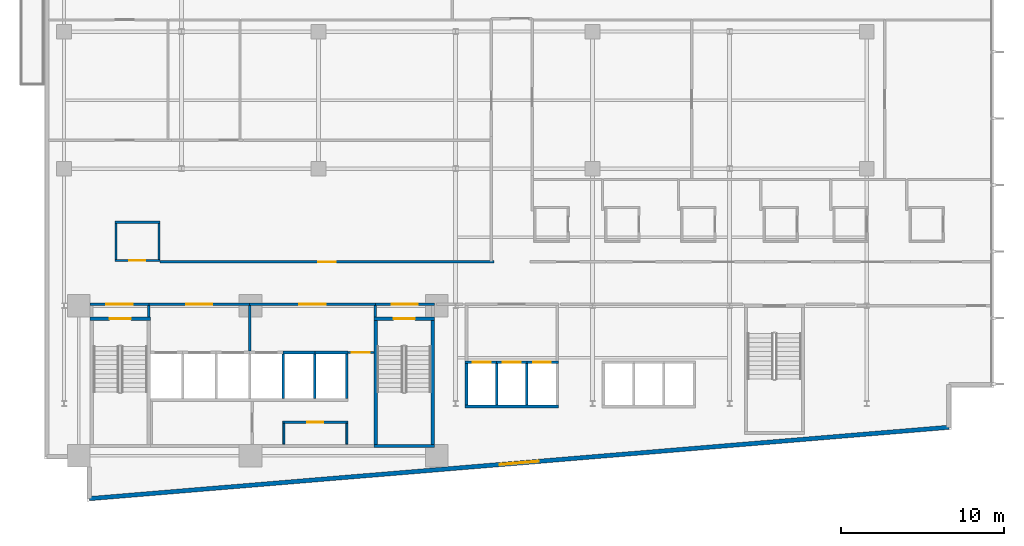
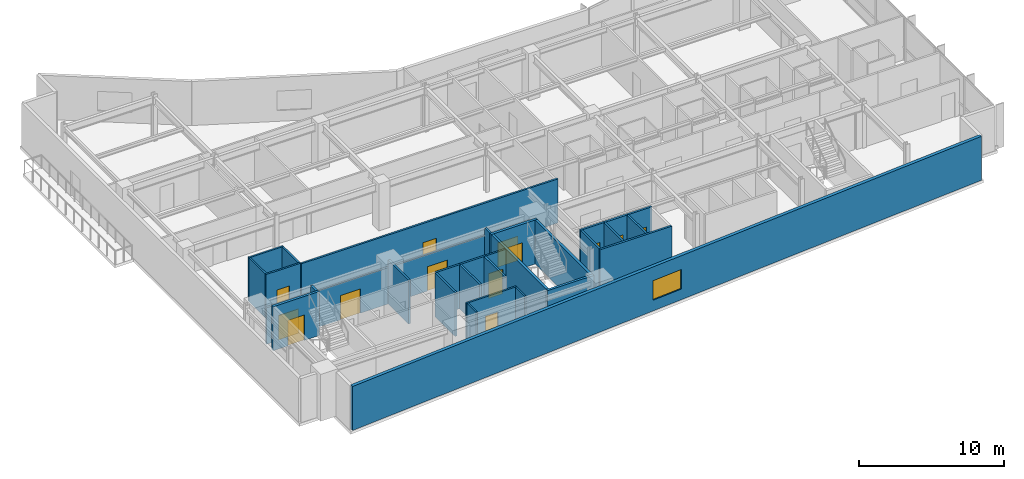
# One storey, part 12 of 20: 34 walls, 13 doors, 1 window, 14 openings.
"""IFC4 building model written with IfcOpenShell, lengths in metres."""

from ifc_helpers import new_model, si_unit, direction, frame, frame_2d, origin, place, context, subcontext, project, spatial, rectangle, extrude, material, layer, layer_set, type_object, element, fill, save


model = new_model("IFC4")

# Units and contexts
model_context = context("Model", 3, precision=1e-05, world=origin(), true_north=direction((0.0, 1.0)))
body_context = subcontext(model_context, "Body", "Model", "MODEL_VIEW")
ifc_project = project(units=[si_unit("LENGTHUNIT", "METRE"), si_unit("AREAUNIT", "SQUARE_METRE"), si_unit("VOLUMEUNIT", "CUBIC_METRE"), si_unit("PLANEANGLEUNIT", "RADIAN"), si_unit("MASSUNIT", "GRAM", prefix="KILO")], contexts=[model_context])

# Site, building, storey
site_placement = place(None, origin())
site = spatial("IfcSite", under=ifc_project, at=site_placement, CompositionType="ELEMENT")
building_placement = place(site_placement, origin())
building = spatial("IfcBuilding", under=site, at=building_placement, Name="Varnakote Quay Hospital", CompositionType="ELEMENT")
storey_placement = place(building_placement, frame((0.0, 0.0, 81.75)))
storey = spatial("IfcBuildingStorey", under=building, at=storey_placement, Name="L20", CompositionType="ELEMENT", Elevation=81.75)

# Wall, opening, door
ifc_material_1 = material(Name="Fire-rated acoustic gypsum stud wall", Category="gypsum")
ifc_layer_1 = layer(ifc_material_1, 0.159912109375)
ifc_layer_set_1 = layer_set([ifc_layer_1], Name="Fire-rated acoustic gypsum stud wall")
wall_type_1 = type_object("IfcWallType", Name="WL-COMP-160", PredefinedType="PARTITIONING", material=ifc_layer_set_1)
wall_1_placement = place(storey_placement, frame((2.800048828125, 12.080078125, 0.0), z_axis=(0.0, 0.0, 1.0), x_axis=(1.0, 0.0, 0.0)))
wall_1 = element("IfcWall", 1, at=wall_1_placement, inside=storey, type_object=wall_type_1, Name="L20 West Stair Vestibule Smoke Wall", PredefinedType="PARTITIONING", context=body_context, shape_type="SweptSolid", body=[
    extrude(rectangle(XDim=3.599853515625, YDim=0.159912109375, at=frame_2d((1.7998046875, 0.0))), origin(), (0.0, 0.0, 1.0), 3.072998046875),
])
opening_1_placement = place(wall_1_placement, frame((1.0, 0.0, 0.0)))
opening_1 = element("IfcOpeningElement", 2, at=opening_1_placement, cuts=wall_1, Name="Opening D-ST1L-L20", PredefinedType="OPENING", context=body_context, shape_type="SweptSolid", body=[
    extrude(rectangle(XDim=1.60009765625, YDim=2.050048828125, at=frame_2d((0.800048828125, 1.02490234375))), frame((0.0, 0.08984375, 0.0), z_axis=(0.0, -1.0, 0.0), x_axis=(1.0, 0.0, 0.0)), (0.0, 0.0, 1.0), 0.179931640625),
])
ifc_material_2 = material(Name="Fire-rated double smoke lobby door")
door_type_1 = type_object("IfcDoorType", Name="DR-LOBBY-FD60S-1600x2150", OperationType="NOTDEFINED", PredefinedType="DOOR", material=ifc_material_2)
door_1_placement = place(opening_1_placement, origin())
door_1 = element("IfcDoor", 3, at=door_1_placement, inside=storey, type_object=door_type_1, Name="L20 West Stair Vestibule Smoke Door", OperationType="DOUBLE_DOOR_SINGLE_SWING", OverallHeight=2.050048828125, OverallWidth=1.60009765625, PredefinedType="DOOR", context=body_context, shape_type="SweptSolid", body=[
    extrude(rectangle(XDim=1.60009765625, YDim=2.050048828125, at=frame_2d((0.800048828125, 1.02490234375))), frame((0.0, 0.02490234375, 0.0), z_axis=(0.0, -1.0, 0.0), x_axis=(1.0, 0.0, 0.0)), (0.0, 0.0, 1.0), 0.050048828125),
])
fill(opening_1, door_1)

# Wall
wall_2_placement = place(storey_placement, frame((6.39990234375, 11.300048828125, 0.0), z_axis=(0.0, 0.0, 1.0), x_axis=(0.0, 1.0, 0.0)))
element("IfcWall", 4, at=wall_2_placement, inside=storey, type_object=wall_type_1, Name="L20 Firefighting Lobby West Wall", PredefinedType="PARTITIONING", context=body_context, shape_type="SweptSolid", body=[
    extrude(rectangle(XDim=0.699951171875, YDim=0.159912109375, at=frame_2d((0.35009765625, 0.0))), origin(), (0.0, 0.0, 1.0), 3.7099609375),
])

# Wall, opening, door
wall_3_placement = place(storey_placement, frame((6.39990234375, 12.080078125, 0.0), z_axis=(0.0, 0.0, 1.0), x_axis=(1.0, 0.0, 0.0)))
wall_3 = element("IfcWall", 5, at=wall_3_placement, inside=storey, type_object=wall_type_1, Name="L20 Firefighting Lift Lobby Compartment Wall", PredefinedType="PARTITIONING", context=body_context, shape_type="SweptSolid", body=[
    extrude(rectangle(XDim=6.18017578125, YDim=0.159912109375, at=frame_2d((3.090087890625, 0.0))), origin(), (0.0, 0.0, 1.0), 3.072998046875),
])
opening_2_placement = place(wall_3_placement, frame((2.2900390625, 0.0, 0.0)))
opening_2 = element("IfcOpeningElement", 6, at=opening_2_placement, cuts=wall_3, Name="Opening D-FFL-L20", PredefinedType="OPENING", context=body_context, shape_type="SweptSolid", body=[
    extrude(rectangle(XDim=1.60009765625, YDim=2.050048828125, at=frame_2d((0.800048828125, 1.02490234375))), frame((0.0, 0.08984375, 0.0), z_axis=(0.0, -1.0, 0.0), x_axis=(1.0, 0.0, 0.0)), (0.0, 0.0, 1.0), 0.179931640625),
])
door_2_placement = place(opening_2_placement, origin())
door_2 = element("IfcDoor", 7, at=door_2_placement, inside=storey, type_object=door_type_1, Name="L20 Firefighting Smoke Vestibule Door", OperationType="DOUBLE_DOOR_SINGLE_SWING", OverallHeight=2.050048828125, OverallWidth=1.60009765625, PredefinedType="DOOR", context=body_context, shape_type="SweptSolid", body=[
    extrude(rectangle(XDim=1.60009765625, YDim=2.050048828125, at=frame_2d((0.800048828125, 1.02490234375))), frame((0.0, 0.02490234375, 0.0), z_axis=(0.0, -1.0, 0.0), x_axis=(1.0, 0.0, 0.0)), (0.0, 0.0, 1.0), 0.050048828125),
])
fill(opening_2, door_2)

# Wall
wall_4_placement = place(storey_placement, frame((12.580078125, 9.2099609375, 0.0), z_axis=(0.0, 0.0, 1.0), x_axis=(0.0, 1.0, 0.0)))
element("IfcWall", 8, at=wall_4_placement, inside=storey, type_object=wall_type_1, Name="L20 Firefighting to Service Lobby Wall", PredefinedType="PARTITIONING", context=body_context, shape_type="SweptSolid", body=[
    extrude(rectangle(XDim=2.7900390625, YDim=0.159912109375, at=frame_2d((1.39501953125, 0.0))), origin(), (0.0, 0.0, 1.0), 3.7099609375),
])

# Wall, opening, door
wall_5_placement = place(storey_placement, frame((12.580078125, 12.080078125, 0.0), z_axis=(0.0, 0.0, 1.0), x_axis=(1.0, 0.0, 0.0)))
wall_5 = element("IfcWall", 9, at=wall_5_placement, inside=storey, type_object=wall_type_1, Name="L20 Clinical Bed Lift Lobby Wall", PredefinedType="PARTITIONING", context=body_context, shape_type="SweptSolid", body=[
    extrude(rectangle(XDim=7.699951171875, YDim=0.159912109375, at=frame_2d((3.85009765625, 0.0))), origin(), (0.0, 0.0, 1.0), 3.072998046875),
])
opening_3_placement = place(wall_5_placement, frame((3.050048828125, 0.0, 0.0)))
opening_3 = element("IfcOpeningElement", 10, at=opening_3_placement, cuts=wall_5, Name="Opening D-SVL-L20", PredefinedType="OPENING", context=body_context, shape_type="SweptSolid", body=[
    extrude(rectangle(XDim=1.60009765625, YDim=2.050048828125, at=frame_2d((0.800048828125, 1.02490234375))), frame((0.0, 0.08984375, 0.0), z_axis=(0.0, -1.0, 0.0), x_axis=(1.0, 0.0, 0.0)), (0.0, 0.0, 1.0), 0.179931640625),
])
door_3_placement = place(opening_3_placement, origin())
door_3 = element("IfcDoor", 11, at=door_3_placement, inside=storey, type_object=door_type_1, Name="L20 Clinical Core Smoke Vestibule Door", OperationType="DOUBLE_DOOR_SINGLE_SWING", OverallHeight=2.050048828125, OverallWidth=1.60009765625, PredefinedType="DOOR", context=body_context, shape_type="SweptSolid", body=[
    extrude(rectangle(XDim=1.60009765625, YDim=2.050048828125, at=frame_2d((0.800048828125, 1.02490234375))), frame((0.0, 0.02490234375, 0.0), z_axis=(0.0, -1.0, 0.0), x_axis=(1.0, 0.0, 0.0)), (0.0, 0.0, 1.0), 0.050048828125),
])
fill(opening_3, door_3)

# Wall
wall_6_placement = place(storey_placement, frame((20.280029296875, 11.300048828125, 0.0), z_axis=(0.0, 0.0, 1.0), x_axis=(0.0, 1.0, 0.0)))
element("IfcWall", 12, at=wall_6_placement, inside=storey, type_object=wall_type_1, Name="L20 East Stair Vestibule Divider Wall", PredefinedType="PARTITIONING", context=body_context, shape_type="SweptSolid", body=[
    extrude(rectangle(XDim=0.699951171875, YDim=0.159912109375, at=frame_2d((0.35009765625, 0.0))), origin(), (0.0, 0.0, 1.0), 3.7099609375),
])

# Wall, opening, door
wall_7_placement = place(storey_placement, frame((20.280029296875, 12.080078125, 0.0), z_axis=(0.0, 0.0, 1.0), x_axis=(1.0, 0.0, 0.0)))
wall_7 = element("IfcWall", 13, at=wall_7_placement, inside=storey, type_object=wall_type_1, Name="L20 East Stair Vestibule Smoke Wall", PredefinedType="PARTITIONING", context=body_context, shape_type="SweptSolid", body=[
    extrude(rectangle(XDim=3.619873046875, YDim=0.159912109375, at=frame_2d((1.81005859375, 0.0))), origin(), (0.0, 0.0, 1.0), 3.072998046875),
])
opening_4_placement = place(wall_7_placement, frame((1.010009765625, 0.0, 0.0)))
opening_4 = element("IfcOpeningElement", 14, at=opening_4_placement, cuts=wall_7, Name="Opening D-ST2L-L20", PredefinedType="OPENING", context=body_context, shape_type="SweptSolid", body=[
    extrude(rectangle(XDim=1.60009765625, YDim=2.050048828125, at=frame_2d((0.800048828125, 1.02490234375))), frame((0.0, 0.08984375, 0.0), z_axis=(0.0, -1.0, 0.0), x_axis=(1.0, 0.0, 0.0)), (0.0, 0.0, 1.0), 0.179931640625),
])
door_4_placement = place(opening_4_placement, origin())
door_4 = element("IfcDoor", 15, at=door_4_placement, inside=storey, type_object=door_type_1, Name="L20 East Stair Vestibule Smoke Door", OperationType="DOUBLE_DOOR_SINGLE_SWING", OverallHeight=2.050048828125, OverallWidth=1.60009765625, PredefinedType="DOOR", context=body_context, shape_type="SweptSolid", body=[
    extrude(rectangle(XDim=1.60009765625, YDim=2.050048828125, at=frame_2d((0.800048828125, 1.02490234375))), frame((0.0, 0.02490234375, 0.0), z_axis=(0.0, -1.0, 0.0), x_axis=(1.0, 0.0, 0.0)), (0.0, 0.0, 1.0), 0.050048828125),
])
fill(opening_4, door_4)

# Wall, opening, window
ifc_material_3 = material(Name="Precast concrete N50 (f'c 50 MPa)", Category="concrete")
ifc_layer_2 = layer(ifc_material_3, 0.260009765625)
ifc_layer_set_2 = layer_set([ifc_layer_2], Name="Precast concrete N50 (f'c 50 MPa)")
wall_type_2 = type_object("IfcWallType", Name="WL-EXT-BRICK-260", PredefinedType="STANDARD", material=ifc_layer_set_2)
wall_8_placement = place(storey_placement, frame((2.760009765625, 0.173828125, 0.0), z_axis=(0.0, 0.0, 1.0), x_axis=(0.996571478456, 0.082736257641, 0.0)))
wall_8 = element("IfcWall", 16, at=wall_8_placement, inside=storey, type_object=wall_type_2, Name="L20 Brick-Faced Precast Exterior Wall", PredefinedType="STANDARD", context=body_context, shape_type="SweptSolid", body=[
    extrude(rectangle(XDim=52.861083984375, YDim=0.260009765625, at=frame_2d((26.4306640625, 0.0))), origin(), (0.0, 0.0, 1.0), 3.7099609375),
])
opening_5_placement = place(wall_8_placement, frame((25.230712890625, 0.0, 0.89990234375)))
opening_5 = element("IfcOpeningElement", 17, at=opening_5_placement, cuts=wall_8, Name="Opening WN-0094", PredefinedType="OPENING", context=body_context, shape_type="SweptSolid", body=[
    extrude(rectangle(XDim=2.39990234375, YDim=1.64990234375, at=frame_2d((1.199951171875, 0.824951171875))), frame((0.0, 0.139892578125, 0.0), z_axis=(0.0, -1.0, 0.0), x_axis=(1.0, 0.0, 0.0)), (0.0, 0.0, 1.0), 0.280029296875),
])
ifc_material_4 = material(Name="Double-glazed low-E solar glass", Category="glass")
window_type = type_object("IfcWindowType", Name="WIN-CLIN-2400x1650", PartitioningType="SINGLE_PANEL", PredefinedType="WINDOW", material=ifc_material_4)
window_placement = place(opening_5_placement, origin())
window = element("IfcWindow", 18, at=window_placement, inside=storey, type_object=window_type, Name="L20 Solar-Control Clinical Window", OverallHeight=1.64990234375, OverallWidth=2.39990234375, PartitioningType="SINGLE_PANEL", PredefinedType="WINDOW", context=body_context, shape_type="SweptSolid", body=[
    extrude(rectangle(XDim=2.39990234375, YDim=1.64990234375, at=frame_2d((1.199951171875, 0.824951171875))), frame((0.0, 0.030029296875, 0.0), z_axis=(0.0, -1.0, 0.0), x_axis=(1.0, 0.0, 0.0)), (0.0, 0.0, 1.0), 0.06005859375),
])
fill(opening_5, window)

# Walls
ifc_material_5 = material(Name="Concrete N50 (f'c 50 MPa)", Category="concrete")
ifc_layer_3 = layer(ifc_material_5, 0.14990234375)
ifc_layer_set_3 = layer_set([ifc_layer_3], Name="Concrete N50 (f'c 50 MPa)")
wall_type_3 = type_object("IfcWallType", Name="WL-SHAFT-N50-150", PredefinedType="SHEAR", material=ifc_layer_set_3)
for number, where, z_axis, x_axis, name in (
    (19, (14.625, 6.300048828125, 0.0), (0.0, 0.0, 1.0), (0.0, 1.0, 0.0), "L20 LF-SV2 Hoistway Divider Wall"),
    (20, (16.574951171875, 6.300048828125, 0.0), (0.0, 0.0, 1.0), (0.0, 1.0, 0.0), "L20 LF-PH1 Hoistway Divider Wall"),
):
    element("IfcWall", number, at=place(storey_placement, frame(where, z_axis=z_axis, x_axis=x_axis)), inside=storey, type_object=wall_type_3, Name=name, PredefinedType="SHEAR", context=body_context, shape_type="SweptSolid", body=[
        extrude(rectangle(XDim=2.75, YDim=0.14990234375, at=frame_2d((1.375, 0.0))), origin(), (0.0, 0.0, 1.0), 3.7099609375),
    ])
for number, where, z_axis, x_axis, name in (
    (21, (27.72509765625, 5.89990234375, 0.0), (0.0, 0.0, 1.0), (0.0, 1.0, 0.0), "L20 LF-PL1 Hoistway Divider Wall"),
    (22, (29.574951171875, 5.89990234375, 0.0), (0.0, 0.0, 1.0), (0.0, 1.0, 0.0), "L20 LF-PL2 Hoistway Divider Wall"),
):
    element("IfcWall", number, at=place(storey_placement, frame(where, z_axis=z_axis, x_axis=x_axis)), inside=storey, type_object=wall_type_3, Name=name, PredefinedType="SHEAR", context=body_context, shape_type="SweptSolid", body=[
        extrude(rectangle(XDim=2.550048828125, YDim=0.14990234375, at=frame_2d((1.27490234375, 0.0))), origin(), (0.0, 0.0, 1.0), 3.7099609375),
    ])
ifc_material_6 = material(Name="Concrete N50 (f'c 50 MPa)", Category="concrete")
ifc_layer_4 = layer(ifc_material_6, 0.159912109375)
ifc_layer_set_4 = layer_set([ifc_layer_4], Name="Concrete N50 (f'c 50 MPa)")
wall_type_4 = type_object("IfcWallType", Name="WL-SHAFT-N50-160", PredefinedType="SHEAR", material=ifc_layer_set_4)
wall_9_placement = place(storey_placement, frame((18.530029296875, 6.300048828125, 0.0), z_axis=(0.0, 0.0, 1.0), x_axis=(0.0, 1.0, 0.0)))
element("IfcWall", 23, at=wall_9_placement, inside=storey, type_object=wall_type_4, Name="L20 REAR Lift Bank East Shear Wall", PredefinedType="SHEAR", context=body_context, shape_type="SweptSolid", body=[
    extrude(rectangle(XDim=2.75, YDim=0.159912109375, at=frame_2d((1.375, 0.0))), origin(), (0.0, 0.0, 1.0), 3.7099609375),
])
wall_10_placement = place(storey_placement, frame((14.625, 9.1298828125, 0.0), z_axis=(0.0, 0.0, 1.0), x_axis=(1.0, 0.0, 0.0)))
element("IfcWall", 24, at=wall_10_placement, inside=storey, type_object=wall_type_4, Name="L20 LF-PH1 Hoistway Front Wall", PredefinedType="SHEAR", context=body_context, shape_type="SweptSolid", body=[
    extrude(rectangle(XDim=1.949951171875, YDim=0.159912109375, at=frame_2d((0.97509765625, 0.0))), origin(), (0.0, 0.0, 1.0), 3.7099609375),
])
wall_11_placement = place(storey_placement, frame((16.574951171875, 9.1298828125, 0.0), z_axis=(0.0, 0.0, 1.0), x_axis=(1.0, 0.0, 0.0)))
element("IfcWall", 25, at=wall_11_placement, inside=storey, type_object=wall_type_4, Name="L20 LF-PH2 Hoistway Front Wall", PredefinedType="SHEAR", context=body_context, shape_type="SweptSolid", body=[
    extrude(rectangle(XDim=2.03515625, YDim=0.159912109375, at=frame_2d((1.017578125, 0.0))), origin(), (0.0, 0.0, 1.0), 3.7099609375),
])
wall_12_placement = place(storey_placement, frame((25.7900390625, 5.820068359375, 0.0), z_axis=(0.0, 0.0, 1.0), x_axis=(1.0, 0.0, 0.0)))
element("IfcWall", 26, at=wall_12_placement, inside=storey, type_object=wall_type_4, Name="L20 LOW Lift Bank Back Shear Wall", PredefinedType="SHEAR", context=body_context, shape_type="SweptSolid", body=[
    extrude(rectangle(XDim=5.719970703125, YDim=0.159912109375, at=frame_2d((2.85986328125, 0.0))), origin(), (0.0, 0.0, 1.0), 3.7099609375),
])
wall_13_placement = place(storey_placement, frame((25.8701171875, 5.89990234375, 0.0), z_axis=(0.0, 0.0, 1.0), x_axis=(0.0, 1.0, 0.0)))
element("IfcWall", 27, at=wall_13_placement, inside=storey, type_object=wall_type_4, Name="L20 LOW Lift Bank West Shear Wall", PredefinedType="SHEAR", context=body_context, shape_type="SweptSolid", body=[
    extrude(rectangle(XDim=2.550048828125, YDim=0.159912109375, at=frame_2d((1.27490234375, 0.0))), origin(), (0.0, 0.0, 1.0), 3.7099609375),
])

# Wall, opening, door
wall_14_placement = place(storey_placement, frame((25.7900390625, 8.530029296875, 0.0), z_axis=(0.0, 0.0, 1.0), x_axis=(1.0, 0.0, 0.0)))
wall_14 = element("IfcWall", 28, at=wall_14_placement, inside=storey, type_object=wall_type_4, Name="L20 LF-PL1 Hoistway Front Wall", PredefinedType="SHEAR", context=body_context, shape_type="SweptSolid", body=[
    extrude(rectangle(XDim=1.93505859375, YDim=0.159912109375, at=frame_2d((0.967529296875, 0.0))), origin(), (0.0, 0.0, 1.0), 3.7099609375),
])
opening_6_placement = place(wall_14_placement, frame((0.4599609375, 0.0, 0.0)))
opening_6 = element("IfcOpeningElement", 29, at=opening_6_placement, cuts=wall_14, Name="Opening LD-PL1-L20", PredefinedType="OPENING", context=body_context, shape_type="SweptSolid", body=[
    extrude(rectangle(XDim=1.10009765625, YDim=2.14990234375, at=frame_2d((0.550048828125, 1.074951171875))), frame((0.0, 0.08984375, 0.0), z_axis=(0.0, -1.0, 0.0), x_axis=(1.0, 0.0, 0.0)), (0.0, 0.0, 1.0), 0.179931640625),
])
ifc_material_7 = material(Name="Brushed bronze lift landing sliding door")
door_type_2 = type_object("IfcDoorType", Name="DR-LIFT-LD-1100x2150", OperationType="NOTDEFINED", PredefinedType="DOOR", material=ifc_material_7)
door_5_placement = place(opening_6_placement, origin())
door_5 = element("IfcDoor", 30, at=door_5_placement, inside=storey, type_object=door_type_2, Name="L20 LF-PL1 Lift Landing Sliding Door", OperationType="SLIDING_TO_LEFT", OverallHeight=2.14990234375, OverallWidth=1.10009765625, PredefinedType="DOOR", context=body_context, shape_type="SweptSolid", body=[
    extrude(rectangle(XDim=1.10009765625, YDim=2.14990234375, at=frame_2d((0.550048828125, 1.074951171875))), frame((0.0, 0.02490234375, 0.0), z_axis=(0.0, -1.0, 0.0), x_axis=(1.0, 0.0, 0.0)), (0.0, 0.0, 1.0), 0.050048828125),
])
fill(opening_6, door_5)

wall_15_placement = place(storey_placement, frame((27.72509765625, 8.530029296875, 0.0), z_axis=(0.0, 0.0, 1.0), x_axis=(1.0, 0.0, 0.0)))
wall_15 = element("IfcWall", 31, at=wall_15_placement, inside=storey, type_object=wall_type_4, Name="L20 LF-PL2 Hoistway Front Wall", PredefinedType="SHEAR", context=body_context, shape_type="SweptSolid", body=[
    extrude(rectangle(XDim=1.849853515625, YDim=0.159912109375, at=frame_2d((0.9248046875, 0.0))), origin(), (0.0, 0.0, 1.0), 3.7099609375),
])
opening_7_placement = place(wall_15_placement, frame((0.375, 0.0, 0.0)))
opening_7 = element("IfcOpeningElement", 32, at=opening_7_placement, cuts=wall_15, Name="Opening LD-PL2-L20", PredefinedType="OPENING", context=body_context, shape_type="SweptSolid", body=[
    extrude(rectangle(XDim=1.10009765625, YDim=2.14990234375, at=frame_2d((0.550048828125, 1.074951171875))), frame((0.0, 0.08984375, 0.0), z_axis=(0.0, -1.0, 0.0), x_axis=(1.0, 0.0, 0.0)), (0.0, 0.0, 1.0), 0.179931640625),
])
door_6_placement = place(opening_7_placement, origin())
door_6 = element("IfcDoor", 33, at=door_6_placement, inside=storey, type_object=door_type_2, Name="L20 LF-PL2 Lift Landing Sliding Door", OperationType="SLIDING_TO_LEFT", OverallHeight=2.14990234375, OverallWidth=1.10009765625, PredefinedType="DOOR", context=body_context, shape_type="SweptSolid", body=[
    extrude(rectangle(XDim=1.10009765625, YDim=2.14990234375, at=frame_2d((0.550048828125, 1.074951171875))), frame((0.0, 0.02490234375, 0.0), z_axis=(0.0, -1.0, 0.0), x_axis=(1.0, 0.0, 0.0)), (0.0, 0.0, 1.0), 0.050048828125),
])
fill(opening_7, door_6)

wall_16_placement = place(storey_placement, frame((29.574951171875, 8.530029296875, 0.0), z_axis=(0.0, 0.0, 1.0), x_axis=(1.0, 0.0, 0.0)))
wall_16 = element("IfcWall", 34, at=wall_16_placement, inside=storey, type_object=wall_type_4, Name="L20 LF-PL3 Hoistway Front Wall", PredefinedType="SHEAR", context=body_context, shape_type="SweptSolid", body=[
    extrude(rectangle(XDim=1.93505859375, YDim=0.159912109375, at=frame_2d((0.967529296875, 0.0))), origin(), (0.0, 0.0, 1.0), 3.7099609375),
])
opening_8_placement = place(wall_16_placement, frame((0.375, 0.0, 0.0)))
opening_8 = element("IfcOpeningElement", 35, at=opening_8_placement, cuts=wall_16, Name="Opening LD-PL3-L20", PredefinedType="OPENING", context=body_context, shape_type="SweptSolid", body=[
    extrude(rectangle(XDim=1.10009765625, YDim=2.14990234375, at=frame_2d((0.550048828125, 1.074951171875))), frame((0.0, 0.08984375, 0.0), z_axis=(0.0, -1.0, 0.0), x_axis=(1.0, 0.0, 0.0)), (0.0, 0.0, 1.0), 0.179931640625),
])
door_7_placement = place(opening_8_placement, origin())
door_7 = element("IfcDoor", 36, at=door_7_placement, inside=storey, type_object=door_type_2, Name="L20 LF-PL3 Lift Landing Sliding Door", OperationType="SLIDING_TO_LEFT", OverallHeight=2.14990234375, OverallWidth=1.10009765625, PredefinedType="DOOR", context=body_context, shape_type="SweptSolid", body=[
    extrude(rectangle(XDim=1.10009765625, YDim=2.14990234375, at=frame_2d((0.550048828125, 1.074951171875))), frame((0.0, 0.02490234375, 0.0), z_axis=(0.0, -1.0, 0.0), x_axis=(1.0, 0.0, 0.0)), (0.0, 0.0, 1.0), 0.050048828125),
])
fill(opening_8, door_7)

ifc_material_8 = material(Name="Concrete N50 (f'c 50 MPa)", Category="concrete")
ifc_layer_5 = layer(ifc_material_8, 0.199951171875)
ifc_layer_set_5 = layer_set([ifc_layer_5], Name="Concrete N50 (f'c 50 MPa)")
wall_type_5 = type_object("IfcWallType", Name="WL-SHAFT-N50-200", PredefinedType="SHEAR", material=ifc_layer_set_5)
wall_17_placement = place(storey_placement, frame((2.800048828125, 11.199951171875, 0.0), z_axis=(0.0, 0.0, 1.0), x_axis=(1.0, 0.0, 0.0)))
wall_17 = element("IfcWall", 37, at=wall_17_placement, inside=storey, type_object=wall_type_5, Name="L20 Stair ST1 Exit Wall", PredefinedType="SHEAR", context=body_context, shape_type="SweptSolid", body=[
    extrude(rectangle(XDim=3.699951171875, YDim=0.199951171875, at=frame_2d((1.85009765625, 0.0))), origin(), (0.0, 0.0, 1.0), 3.7099609375),
])
opening_9_placement = place(wall_17_placement, frame((1.199951171875, 0.0, 0.0)))
opening_9 = element("IfcOpeningElement", 38, at=opening_9_placement, cuts=wall_17, Name="Opening D-ST1-L20", PredefinedType="OPENING", context=body_context, shape_type="SweptSolid", body=[
    extrude(rectangle(XDim=1.300048828125, YDim=2.14990234375, at=frame_2d((0.64990234375, 1.074951171875))), frame((0.0, 0.10986328125, 0.0), z_axis=(0.0, -1.0, 0.0), x_axis=(1.0, 0.0, 0.0)), (0.0, 0.0, 1.0), 0.219970703125),
])
ifc_material_9 = material(Name="Fire-rated ceramic-glazed timber exit door", Category="wood")
door_type_3 = type_object("IfcDoorType", Name="DR-STAIR-FD60S-1300x2150", OperationType="NOTDEFINED", PredefinedType="DOOR", material=ifc_material_9)
door_8_placement = place(opening_9_placement, origin())
door_8 = element("IfcDoor", 39, at=door_8_placement, inside=storey, type_object=door_type_3, Name="L20 Stair ST1 Fire Exit Door", OperationType="SINGLE_SWING_RIGHT", OverallHeight=2.14990234375, OverallWidth=1.300048828125, PredefinedType="DOOR", context=body_context, shape_type="SweptSolid", body=[
    extrude(rectangle(XDim=1.300048828125, YDim=2.14990234375, at=frame_2d((0.64990234375, 1.074951171875))), frame((0.0, 0.02490234375, 0.0), z_axis=(0.0, -1.0, 0.0), x_axis=(1.0, 0.0, 0.0)), (0.0, 0.0, 1.0), 0.050048828125),
])
fill(opening_9, door_8)

# Walls
wall_18_placement = place(storey_placement, frame((20.199951171875, 3.39990234375, 0.0), z_axis=(0.0, 0.0, 1.0), x_axis=(1.0, 0.0, 0.0)))
element("IfcWall", 40, at=wall_18_placement, inside=storey, type_object=wall_type_5, Name="L20 Stair ST2 South Shaft Wall", PredefinedType="SHEAR", context=body_context, shape_type="SweptSolid", body=[
    extrude(rectangle(XDim=3.699951171875, YDim=0.199951171875, at=frame_2d((1.85009765625, 0.0))), origin(), (0.0, 0.0, 1.0), 3.7099609375),
])
for number, where, z_axis, x_axis, name in (
    (41, (20.300048828125, 3.5, 0.0), (0.0, 0.0, 1.0), (0.0, 1.0, 0.0), "L20 Stair ST2 West Shaft Wall"),
    (42, (23.800048828125, 3.5, 0.0), (0.0, 0.0, 1.0), (0.0, 1.0, 0.0), "L20 Stair ST2 East Shaft Wall"),
):
    element("IfcWall", number, at=place(storey_placement, frame(where, z_axis=z_axis, x_axis=x_axis)), inside=storey, type_object=wall_type_5, Name=name, PredefinedType="SHEAR", context=body_context, shape_type="SweptSolid", body=[
        extrude(rectangle(XDim=7.60009765625, YDim=0.199951171875, at=frame_2d((3.800048828125, 0.0))), origin(), (0.0, 0.0, 1.0), 3.7099609375),
    ])

# Wall, opening, door
wall_19_placement = place(storey_placement, frame((20.199951171875, 11.199951171875, 0.0), z_axis=(0.0, 0.0, 1.0), x_axis=(1.0, 0.0, 0.0)))
wall_19 = element("IfcWall", 43, at=wall_19_placement, inside=storey, type_object=wall_type_5, Name="L20 Stair ST2 Exit Wall", PredefinedType="SHEAR", context=body_context, shape_type="SweptSolid", body=[
    extrude(rectangle(XDim=3.699951171875, YDim=0.199951171875, at=frame_2d((1.85009765625, 0.0))), origin(), (0.0, 0.0, 1.0), 3.7099609375),
])
opening_10_placement = place(wall_19_placement, frame((1.199951171875, 0.0, 0.0)))
opening_10 = element("IfcOpeningElement", 44, at=opening_10_placement, cuts=wall_19, Name="Opening D-ST2-L20", PredefinedType="OPENING", context=body_context, shape_type="SweptSolid", body=[
    extrude(rectangle(XDim=1.300048828125, YDim=2.14990234375, at=frame_2d((0.64990234375, 1.074951171875))), frame((0.0, 0.10986328125, 0.0), z_axis=(0.0, -1.0, 0.0), x_axis=(1.0, 0.0, 0.0)), (0.0, 0.0, 1.0), 0.219970703125),
])
door_9_placement = place(opening_10_placement, origin())
door_9 = element("IfcDoor", 45, at=door_9_placement, inside=storey, type_object=door_type_3, Name="L20 Stair ST2 Fire Exit Door", OperationType="SINGLE_SWING_LEFT", OverallHeight=2.14990234375, OverallWidth=1.300048828125, PredefinedType="DOOR", context=body_context, shape_type="SweptSolid", body=[
    extrude(rectangle(XDim=1.300048828125, YDim=2.14990234375, at=frame_2d((0.64990234375, 1.074951171875))), frame((0.0, 0.02490234375, 0.0), z_axis=(0.0, -1.0, 0.0), x_axis=(1.0, 0.0, 0.0)), (0.0, 0.0, 1.0), 0.050048828125),
])
fill(opening_10, door_9)

# Walls
ifc_material_10 = material(Name="Smoke-proof clinical partition", Category="gypsum")
ifc_layer_6 = layer(ifc_material_10, 0.1201171875)
ifc_layer_set_6 = layer_set([ifc_layer_6], Name="Smoke-proof clinical partition")
wall_type_6 = type_object("IfcWallType", Name="WL-SMOKE-120", PredefinedType="PARTITIONING", material=ifc_layer_set_6)
for number, where, z_axis, x_axis, name in (
    (46, (14.669921875, 3.52001953125, 0.0), (0.0, 0.0, 1.0), (0.0, 1.0, 0.0), "L20 Core WC West Wall"),
    (47, (18.5400390625, 3.52001953125, 0.0), (0.0, 0.0, 1.0), (0.0, 1.0, 0.0), "L20 Core WC East Wall"),
):
    element("IfcWall", number, at=place(storey_placement, frame(where, z_axis=z_axis, x_axis=x_axis)), inside=storey, type_object=wall_type_6, Name=name, PredefinedType="PARTITIONING", context=body_context, shape_type="SweptSolid", body=[
        extrude(rectangle(XDim=1.260009765625, YDim=0.1201171875, at=frame_2d((0.6298828125, 0.0))), origin(), (0.0, 0.0, 1.0), 3.7099609375),
    ])

# Wall, opening, door
ifc_material_11 = material(Name="Fire-rated clinical gypsum partition", Category="gypsum")
ifc_layer_7 = layer(ifc_material_11, 0.139892578125)
ifc_layer_set_7 = layer_set([ifc_layer_7], Name="Fire-rated clinical gypsum partition")
wall_type_7 = type_object("IfcWallType", Name="WL-WARD-140", PredefinedType="PARTITIONING", material=ifc_layer_set_7)
wall_20_placement = place(storey_placement, frame((14.60009765625, 4.85009765625, 0.0), z_axis=(0.0, 0.0, 1.0), x_axis=(1.0, 0.0, 0.0)))
wall_20 = element("IfcWall", 48, at=wall_20_placement, inside=storey, type_object=wall_type_7, Name="L20 Core Staff Sanitary WC North Wall", PredefinedType="PARTITIONING", context=body_context, shape_type="SweptSolid", body=[
    extrude(rectangle(XDim=4.0, YDim=0.139892578125, at=frame_2d((2.0, 0.0))), origin(), (0.0, 0.0, 1.0), 3.7099609375),
])
opening_11_placement = place(wall_20_placement, frame((1.510009765625, 0.0, 0.0)))
opening_11 = element("IfcOpeningElement", 49, at=opening_11_placement, cuts=wall_20, Name="Opening D-L20-CR02", PredefinedType="OPENING", context=body_context, shape_type="SweptSolid", body=[
    extrude(rectangle(XDim=0.97998046875, YDim=2.10009765625, at=frame_2d((0.489990234375, 1.050048828125))), frame((0.0, 0.079833984375, 0.0), z_axis=(0.0, -1.0, 0.0), x_axis=(1.0, 0.0, 0.0)), (0.0, 0.0, 1.0), 0.159912109375),
])
ifc_material_12 = material(Name="Accessible sanitary compartment door")
door_type_4 = type_object("IfcDoorType", Name="DR-WC-980x2100", OperationType="NOTDEFINED", PredefinedType="DOOR", material=ifc_material_12)
door_10_placement = place(opening_11_placement, origin())
door_10 = element("IfcDoor", 50, at=door_10_placement, inside=storey, type_object=door_type_4, Name="L20 Core Staff Sanitary WC Door", OperationType="SINGLE_SWING_RIGHT", OverallHeight=2.10009765625, OverallWidth=0.97998046875, PredefinedType="DOOR", context=body_context, shape_type="SweptSolid", body=[
    extrude(rectangle(XDim=0.97998046875, YDim=2.10009765625, at=frame_2d((0.489990234375, 1.050048828125))), frame((0.0, 0.02490234375, 0.0), z_axis=(0.0, -1.0, 0.0), x_axis=(1.0, 0.0, 0.0)), (0.0, 0.0, 1.0), 0.050048828125),
])
fill(opening_11, door_10)

wall_21_placement = place(storey_placement, frame((18.610107421875, 9.1298828125, 0.0), z_axis=(0.0, 0.0, 1.0), x_axis=(1.0, 0.0, 0.0)))
wall_21 = element("IfcWall", 51, at=wall_21_placement, inside=storey, type_object=wall_type_7, Name="L20 Core Service Corridor North Door Wall", PredefinedType="PARTITIONING", context=body_context, shape_type="SweptSolid", body=[
    extrude(rectangle(XDim=1.58984375, YDim=0.139892578125, at=frame_2d((0.794921875, 0.0))), origin(), (0.0, 0.0, 1.0), 3.7099609375),
])
opening_12_placement = place(wall_21_placement, frame((0.239990234375, 0.0, 0.0)))
opening_12 = element("IfcOpeningElement", 52, at=opening_12_placement, cuts=wall_21, Name="Opening D-CSRV-L20", PredefinedType="OPENING", context=body_context, shape_type="SweptSolid", body=[
    extrude(rectangle(XDim=1.10009765625, YDim=2.10009765625, at=frame_2d((0.550048828125, 1.050048828125))), frame((0.0, 0.079833984375, 0.0), z_axis=(0.0, -1.0, 0.0), x_axis=(1.0, 0.0, 0.0)), (0.0, 0.0, 1.0), 0.159912109375),
])
ifc_material_13 = material(Name="Acoustic timber clinical consult door", Category="wood")
door_type_5 = type_object("IfcDoorType", Name="DR-CLIN-FD30S-1100x2100", OperationType="NOTDEFINED", PredefinedType="DOOR", material=ifc_material_13)
door_11_placement = place(opening_12_placement, origin())
door_11 = element("IfcDoor", 53, at=door_11_placement, inside=storey, type_object=door_type_5, Name="L20 Core Service Corridor Door", OperationType="SINGLE_SWING_LEFT", OverallHeight=2.10009765625, OverallWidth=1.10009765625, PredefinedType="DOOR", context=body_context, shape_type="SweptSolid", body=[
    extrude(rectangle(XDim=1.10009765625, YDim=2.10009765625, at=frame_2d((0.550048828125, 1.050048828125))), frame((0.0, 0.02490234375, 0.0), z_axis=(0.0, -1.0, 0.0), x_axis=(1.0, 0.0, 0.0)), (0.0, 0.0, 1.0), 0.050048828125),
])
fill(opening_12, door_11)

wall_22_placement = place(storey_placement, frame((4.31005859375, 14.77001953125, 0.0), z_axis=(0.0, 0.0, 1.0), x_axis=(1.0, 0.0, 0.0)))
wall_22 = element("IfcWall", 54, at=wall_22_placement, inside=storey, type_object=wall_type_7, Name="L20 Floor Unisex Accessible WC S Wall", PredefinedType="PARTITIONING", context=body_context, shape_type="SweptSolid", body=[
    extrude(rectangle(XDim=2.780029296875, YDim=0.139892578125, at=frame_2d((1.39013671875, 0.0))), origin(), (0.0, 0.0, 1.0), 3.7099609375),
])
opening_13_placement = place(wall_22_placement, frame((0.89990234375, 0.0, 0.0)))
opening_13 = element("IfcOpeningElement", 55, at=opening_13_placement, cuts=wall_22, Name="Opening D-L20-EW01", PredefinedType="OPENING", context=body_context, shape_type="SweptSolid", body=[
    extrude(rectangle(XDim=0.97998046875, YDim=2.10009765625, at=frame_2d((0.489990234375, 1.050048828125))), frame((0.0, 0.079833984375, 0.0), z_axis=(0.0, -1.0, 0.0), x_axis=(1.0, 0.0, 0.0)), (0.0, 0.0, 1.0), 0.159912109375),
])
door_12_placement = place(opening_13_placement, origin())
door_12 = element("IfcDoor", 56, at=door_12_placement, inside=storey, type_object=door_type_4, Name="L20 Floor Unisex Accessible WC Door", OperationType="SINGLE_SWING_RIGHT", OverallHeight=2.10009765625, OverallWidth=0.97998046875, PredefinedType="DOOR", context=body_context, shape_type="SweptSolid", body=[
    extrude(rectangle(XDim=0.97998046875, YDim=2.10009765625, at=frame_2d((0.489990234375, 1.050048828125))), frame((0.0, 0.02490234375, 0.0), z_axis=(0.0, -1.0, 0.0), x_axis=(1.0, 0.0, 0.0)), (0.0, 0.0, 1.0), 0.050048828125),
])
fill(opening_13, door_12)

# Walls
wall_23_placement = place(storey_placement, frame((4.31005859375, 17.110107421875, 0.0), z_axis=(0.0, 0.0, 1.0), x_axis=(1.0, 0.0, 0.0)))
element("IfcWall", 57, at=wall_23_placement, inside=storey, type_object=wall_type_7, Name="L20 Floor Unisex Accessible WC N Wall", PredefinedType="PARTITIONING", context=body_context, shape_type="SweptSolid", body=[
    extrude(rectangle(XDim=2.780029296875, YDim=0.139892578125, at=frame_2d((1.39013671875, 0.0))), origin(), (0.0, 0.0, 1.0), 3.7099609375),
])
for number, where, z_axis, x_axis, name in (
    (58, (4.3798828125, 14.840087890625, 0.0), (0.0, 0.0, 1.0), (0.0, 1.0, 0.0), "L20 Floor Unisex Accessible WC W Wall"),
    (59, (7.02001953125, 14.840087890625, 0.0), (0.0, 0.0, 1.0), (0.0, 1.0, 0.0), "L20 Floor Unisex Accessible WC E Wall"),
):
    element("IfcWall", number, at=place(storey_placement, frame(where, z_axis=z_axis, x_axis=x_axis)), inside=storey, type_object=wall_type_7, Name=name, PredefinedType="PARTITIONING", context=body_context, shape_type="SweptSolid", body=[
        extrude(rectangle(XDim=2.199951171875, YDim=0.139892578125, at=frame_2d((1.10009765625, 0.0))), origin(), (0.0, 0.0, 1.0), 3.7099609375),
    ])

# Wall, opening, door
ifc_material_14 = material(Name="Fire-rated clinical gypsum partition", Category="gypsum")
ifc_layer_8 = layer(ifc_material_14, 0.14990234375)
ifc_layer_set_8 = layer_set([ifc_layer_8], Name="Fire-rated clinical gypsum partition")
wall_type_8 = type_object("IfcWallType", Name="WL-WARD-150", PredefinedType="PARTITIONING", material=ifc_layer_set_8)
wall_24_placement = place(storey_placement, frame((27.5458984375, 14.679931640625, 0.0), z_axis=(0.0, 0.0, 1.0), x_axis=(-1.0, 0.0, 0.0)))
wall_24 = element("IfcWall", 60, at=wall_24_placement, inside=storey, type_object=wall_type_8, Name="L20 Clinical Interior Partition", PredefinedType="PARTITIONING", context=body_context, shape_type="SweptSolid", body=[
    extrude(rectangle(XDim=20.453857421875, YDim=0.14990234375, at=frame_2d((10.22705078125, 0.0))), origin(), (0.0, 0.0, 1.0), 3.7099609375),
])
opening_14_placement = place(wall_24_placement, frame((9.677001953125, 0.0, 0.0)))
opening_14 = element("IfcOpeningElement", 61, at=opening_14_placement, cuts=wall_24, Name="Opening D-L20-MD01", PredefinedType="OPENING", context=body_context, shape_type="SweptSolid", body=[
    extrude(rectangle(XDim=1.10009765625, YDim=2.10009765625, at=frame_2d((0.550048828125, 1.050048828125))), frame((0.0, 0.0849609375, 0.0), z_axis=(0.0, -1.0, 0.0), x_axis=(1.0, 0.0, 0.0)), (0.0, 0.0, 1.0), 0.169921875),
])
door_13_placement = place(opening_14_placement, origin())
door_13 = element("IfcDoor", 62, at=door_13_placement, inside=storey, type_object=door_type_5, Name="L20 Outpatient Specialist Consult Office Door", OperationType="SINGLE_SWING_RIGHT", OverallHeight=2.10009765625, OverallWidth=1.10009765625, PredefinedType="DOOR", context=body_context, shape_type="SweptSolid", body=[
    extrude(rectangle(XDim=1.10009765625, YDim=2.10009765625, at=frame_2d((0.550048828125, 1.050048828125))), frame((0.0, 0.02490234375, 0.0), z_axis=(0.0, -1.0, 0.0), x_axis=(1.0, 0.0, 0.0)), (0.0, 0.0, 1.0), 0.050048828125),
])
fill(opening_14, door_13)

save(model, "model.ifc")
